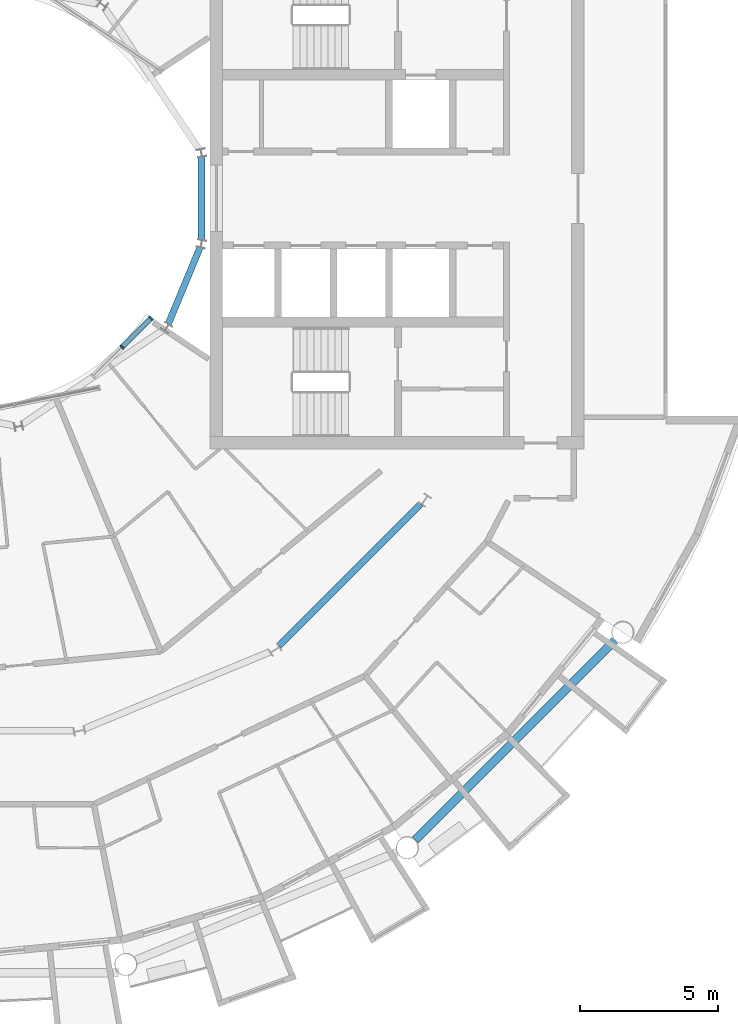
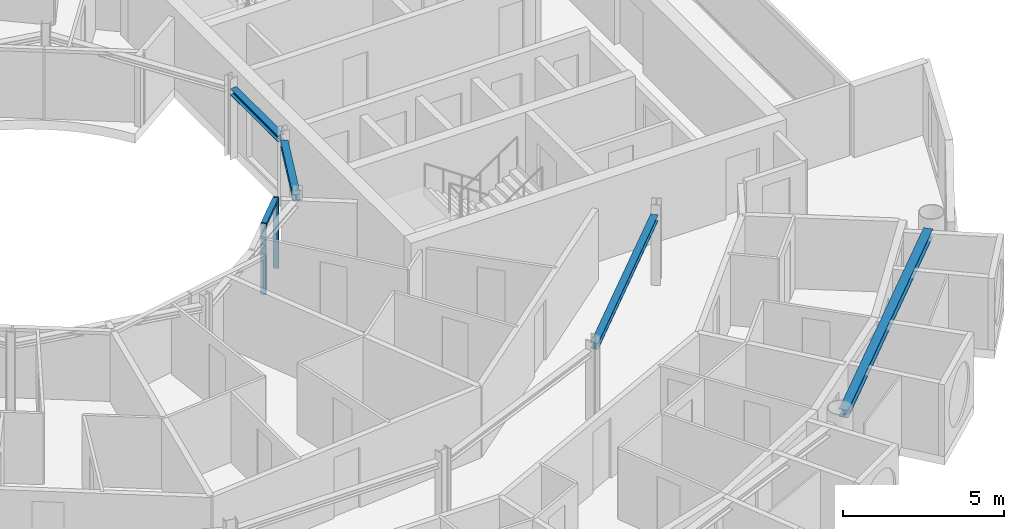
# One storey, part 8 of 29: 4 beams, 3 members, 1 element without a shape of its own.
"""IFC4 building model written with IfcOpenShell, lengths in metres."""

from ifc_helpers import new_model, si_unit, direction, frame, origin, origin_2d, place, context, subcontext, project, spatial, rectangle, i_section, extrude, material, layer, layer_set, material_profile, profile_set, type_object, element, aggregate, save


model = new_model("IFC4")

# Units and contexts
model_context = context("Model", 3, precision=1e-05, world=origin(), true_north=direction((0.0, 1.0)))
body_context = subcontext(model_context, "Body", "Model", "MODEL_VIEW")
ifc_project = project(units=[si_unit("LENGTHUNIT", "METRE"), si_unit("AREAUNIT", "SQUARE_METRE"), si_unit("VOLUMEUNIT", "CUBIC_METRE"), si_unit("PLANEANGLEUNIT", "RADIAN"), si_unit("MASSUNIT", "GRAM", prefix="KILO")], contexts=[model_context])

# Site, building, storey
site_placement = place(None, origin())
site = spatial("IfcSite", under=ifc_project, at=site_placement, CompositionType="ELEMENT")
building_placement = place(site_placement, origin())
building = spatial("IfcBuilding", under=site, at=building_placement, Name="Maasbend Ring Residences", CompositionType="ELEMENT")
storey_placement = place(building_placement, frame((0.0, 0.0, 215.75)))
storey = spatial("IfcBuildingStorey", under=building, at=storey_placement, Name="L62", CompositionType="ELEMENT", Elevation=215.75)

# Curtain wall, members
ifc_material_1 = material(Name="Aluminium and clear glass", Category="aluminium")
ifc_layer = layer(ifc_material_1, 0.179931640625)
ifc_layer_set = layer_set([ifc_layer], Name="CW-W")
curtain_wall_type = type_object("IfcCurtainWallType", Name="CW-W", PredefinedType="NOTDEFINED", material=ifc_layer_set)
curtain_wall_placement = place(storey_placement, origin())
curtain_wall = element("IfcCurtainWall", 1, at=curtain_wall_placement, inside=storey, type_object=curtain_wall_type, Name="Well curtain wall S3", PredefinedType="NOTDEFINED")
ifc_material_2 = material(Name="Aluminium 6063-T6", Category="aluminium")
ifc_material_profile_1 = material_profile(ifc_material_2, rectangle(XDim=0.179931640625, YDim=0.06005859375, at=origin_2d()), Name="AL 180x60")
ifc_profile_set_1 = profile_set([ifc_material_profile_1], Name="Aluminium 6063-T6")
member_type_1 = type_object("IfcMemberType", Name="CWM-W", PredefinedType="MULLION", material=ifc_profile_set_1)
member_1_placement = place(storey_placement, frame((5.366943359375, -5.366943359375, 0.0), z_axis=(0.0, 0.0, 1.0), x_axis=(-0.707106781187, 0.707106781187, 0.0)))
member_1 = element("IfcMember", 2, at=member_1_placement, type_object=member_type_1, Name="Mullion well face", PredefinedType="MULLION", context=body_context, shape_type="SweptSolid", body=[
    extrude(rectangle(XDim=0.179931640625, YDim=0.06005859375, at=origin_2d()), origin(), (0.0, 0.0, 1.0), 2.699951171875),
])
member_2_placement = place(storey_placement, frame((6.413330078125, -4.320556640625, 0.0), z_axis=(0.0, 0.0, 1.0), x_axis=(-0.707106781187, 0.707106781187, 0.0)))
member_2 = element("IfcMember", 3, at=member_2_placement, type_object=member_type_1, Name="Mullion well face", PredefinedType="MULLION", context=body_context, shape_type="SweptSolid", body=[
    extrude(rectangle(XDim=0.179931640625, YDim=0.06005859375, at=origin_2d()), origin(), (0.0, 0.0, 1.0), 2.699951171875),
])
ifc_material_3 = material(Name="Aluminium 6063-T6", Category="aluminium")
ifc_material_profile_2 = material_profile(ifc_material_3, rectangle(XDim=0.179931640625, YDim=0.1201171875, at=origin_2d()), Name="AL 180x120")
ifc_profile_set_2 = profile_set([ifc_material_profile_2], Name="Aluminium 6063-T6")
member_type_2 = type_object("IfcMemberType", Name="CWT-W", PredefinedType="USERDEFINED", material=ifc_profile_set_2)
member_3_placement = place(storey_placement, frame((5.38818359375, -5.345703125, 2.639892578125), z_axis=(0.707106781187, 0.707106781187, 0.0), x_axis=(-0.707106781187, 0.707106781187, 0.0)))
member_3 = element("IfcMember", 4, at=member_3_placement, type_object=member_type_2, Name="Transom well face", ObjectType="TRANSOM", PredefinedType="USERDEFINED", context=body_context, shape_type="SweptSolid", body=[
    extrude(rectangle(XDim=0.179931640625, YDim=0.1201171875, at=origin_2d()), origin(), (0.0, 0.0, 1.0), 1.419677734375),
])
aggregate(curtain_wall, [member_1, member_2, member_3])

# Beams
ifc_material_4 = material(Name="Steel S355J2", Category="steel")
ifc_material_profile_3 = material_profile(ifc_material_4, i_section(OverallWidth=0.239990234375, OverallDepth=0.22998046875, WebThickness=0.007568359375, FlangeThickness=0.011962890625, FilletRadius=0.02099609375, at=origin_2d()), Name="HEA 240")
ifc_profile_set_3 = profile_set([ifc_material_profile_3], Name="Steel S355J2")
beam_type_1 = type_object("IfcBeamType", Name="Corridor ring beam HEA 240", PredefinedType="BEAM", material=ifc_profile_set_3)
beam_1_placement = place(storey_placement, frame((11.033447265625, -16.152587890625, 2.5849609375), z_axis=(0.707106781187, 0.707106781187, 0.0), x_axis=(-0.707106781187, 0.707106781187, 0.0)))
element("IfcBeam", 5, at=beam_1_placement, inside=storey, type_object=beam_type_1, Name="Corridor ring beam", PredefinedType="BEAM", context=body_context, shape_type="SweptSolid", body=[
    extrude(i_section(OverallWidth=0.239990234375, OverallDepth=0.22998046875, WebThickness=0.007568359375, FlangeThickness=0.011962890625, FilletRadius=0.02099609375, at=origin_2d()), origin(), (0.0, 0.0, 1.0), 7.239501953125),
])
ifc_material_5 = material(Name="Steel S355J2", Category="steel")
ifc_material_profile_4 = material_profile(ifc_material_5, i_section(OverallWidth=0.300048828125, OverallDepth=0.300048828125, WebThickness=0.010986328125, FlangeThickness=0.01904296875, FilletRadius=0.027099609375, at=origin_2d()), Name="HEB 300")
ifc_profile_set_4 = profile_set([ifc_material_profile_4], Name="Steel S355J2")
beam_type_2 = type_object("IfcBeamType", Name="Spandrel ring beam HEB 300", PredefinedType="SPANDREL", material=ifc_profile_set_4)
beam_2_placement = place(storey_placement, frame((15.95458984375, -23.159912109375, 2.550048828125), z_axis=(0.707106781187, 0.707106781187, 0.0), x_axis=(-0.707106781187, 0.707106781187, 0.0)))
element("IfcBeam", 6, at=beam_2_placement, inside=storey, type_object=beam_type_2, Name="Spandrel ring beam", PredefinedType="SPANDREL", context=body_context, shape_type="SweptSolid", body=[
    extrude(i_section(OverallWidth=0.300048828125, OverallDepth=0.300048828125, WebThickness=0.010986328125, FlangeThickness=0.01904296875, FilletRadius=0.027099609375, at=origin_2d()), origin(), (0.0, 0.0, 1.0), 10.18994140625),
])
ifc_material_6 = material(Name="Steel S355J2", Category="steel")
ifc_material_profile_5 = material_profile(ifc_material_6, i_section(OverallWidth=0.239990234375, OverallDepth=0.22998046875, WebThickness=0.007568359375, FlangeThickness=0.011962890625, FilletRadius=0.02099609375, at=origin_2d()), Name="HEA 240")
ifc_profile_set_5 = profile_set([ifc_material_profile_5], Name="Steel S355J2")
beam_type_3 = type_object("IfcBeamType", Name="Well edge beam HEA 240", PredefinedType="BEAM", material=ifc_profile_set_5)
beam_3_placement = place(storey_placement, frame((7.041015625, -4.5302734375, 2.5849609375), z_axis=(0.382614534057, 0.923908068115, 0.0), x_axis=(-0.923908068115, 0.382614534057, 0.0)))
element("IfcBeam", 7, at=beam_3_placement, inside=storey, type_object=beam_type_3, Name="Well edge beam", PredefinedType="BEAM", context=body_context, shape_type="SweptSolid", body=[
    extrude(i_section(OverallWidth=0.239990234375, OverallDepth=0.22998046875, WebThickness=0.007568359375, FlangeThickness=0.011962890625, FilletRadius=0.02099609375, at=origin_2d()), origin(), (0.0, 0.0, 1.0), 2.981689453125),
])
beam_4_placement = place(storey_placement, frame((8.238525390625, -1.490966796875, 2.5849609375), z_axis=(0.0, 1.0, 0.0), x_axis=(-1.0, 0.0, 0.0)))
element("IfcBeam", 8, at=beam_4_placement, inside=storey, type_object=beam_type_3, Name="Well edge beam", PredefinedType="BEAM", context=body_context, shape_type="SweptSolid", body=[
    extrude(i_section(OverallWidth=0.239990234375, OverallDepth=0.22998046875, WebThickness=0.007568359375, FlangeThickness=0.011962890625, FilletRadius=0.02099609375, at=origin_2d()), origin(), (0.0, 0.0, 1.0), 2.98193359375),
])

save(model, "model.ifc")
